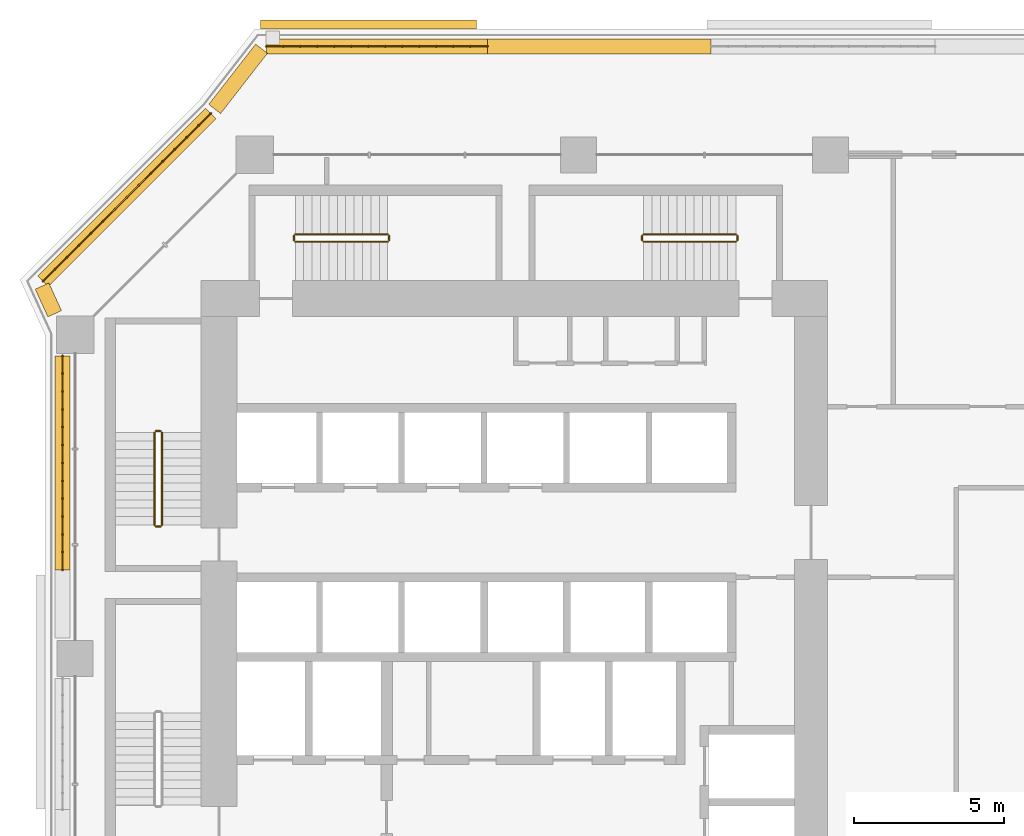
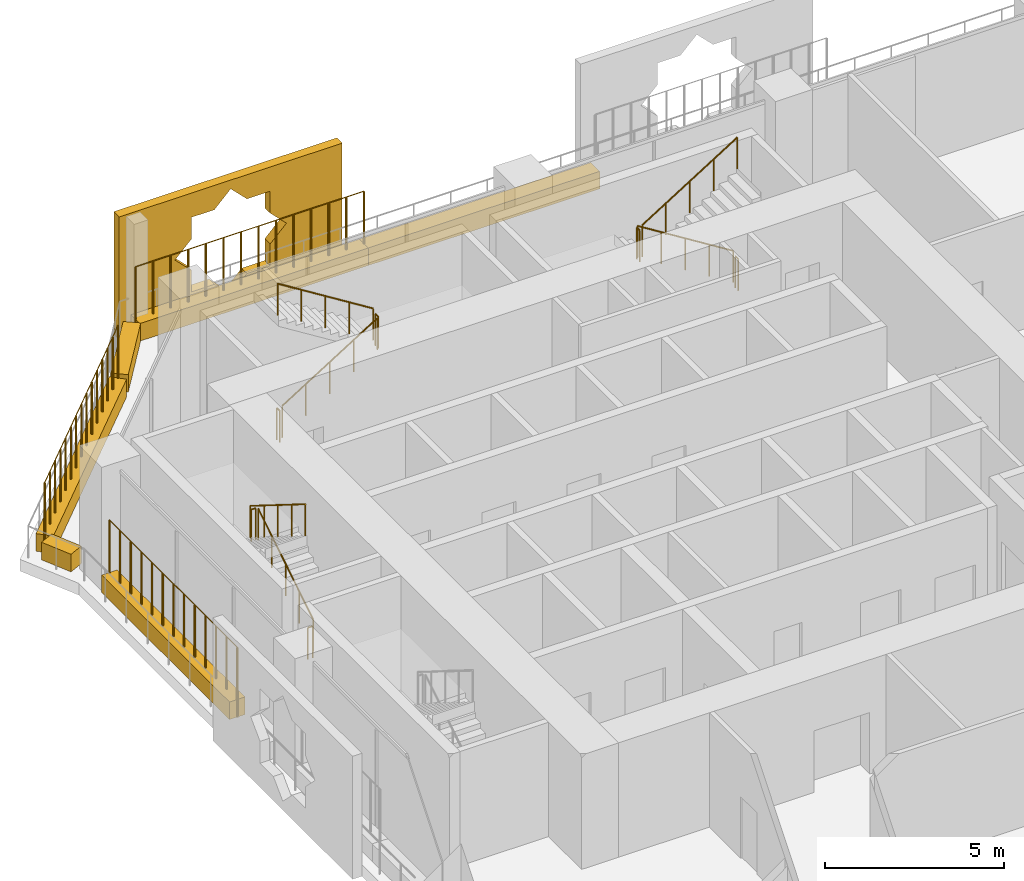
# One storey, part 25 of 27: 15 railings, 7 coverings.
"""IFC4 building model written with IfcOpenShell, lengths in metres."""

import ifcopenshell
import ifcopenshell.guid

model = None  # the IFC model being written
_history = None  # IfcOwnerHistory: only IFC2X3 demands one
_inside = {}  # id of a spatial element -> (the spatial element, [elements in it])
_under = {}  # id of a project, library or spatial element -> (it, [spatial elements below it])
_declared = {}  # id of a project -> (the project, [libraries it declares])
_typed = {}  # id of a type object -> (the type object, [elements of that type])
_made_of = {}  # id of a material, layer set ... -> (it, [elements and type objects made of it])


def new_model(schema):
    """Start an empty IFC model of exactly this schema.

    Asked for "IFC4X3", IfcOpenShell would pick the latest addendum, in which some entities
    have other attributes; the version numbers below select the first issue.
    IFC2X3 requires an IfcOwnerHistory on every rooted entity: one is made here for all.
    """
    global model, _history
    if schema == "IFC4X3":
        model = ifcopenshell.file(schema_version=(4, 3, 0, 0))
    else:
        model = ifcopenshell.file(schema=schema)
    _inside.clear()
    _under.clear()
    _declared.clear()
    _typed.clear()
    _made_of.clear()
    _history = None
    if model.schema == "IFC2X3":
        org = make("IfcOrganization", Name="unknown")
        user = make(
            "IfcPersonAndOrganization",
            ThePerson=make("IfcPerson", FamilyName="unknown"),
            TheOrganization=org,
        )
        app = make(
            "IfcApplication",
            ApplicationDeveloper=org,
            Version="unknown",
            ApplicationFullName="unknown",
            ApplicationIdentifier="unknown",
        )
        _history = make(
            "IfcOwnerHistory",
            OwningUser=user,
            OwningApplication=app,
            ChangeAction="ADDED",
            CreationDate=0,
        )
    return model


def make(cls, **values):
    """One entity of the class cls with the attributes given. An attribute that is None is left unset."""
    return model.create_entity(
        cls, **{name: value for name, value in values.items() if value is not None}
    )


def rooted(cls, **values):
    """An entity with a GlobalId (a new one), such as an element, a storey or a relation."""
    return make(cls, GlobalId=ifcopenshell.guid.new(), OwnerHistory=_history, **values)


def si_unit(unit_type, name, prefix=None):
    """IfcSIUnit, for example si_unit("LENGTHUNIT", "METRE", prefix="MILLI")."""
    return make("IfcSIUnit", UnitType=unit_type, Prefix=prefix, Name=name)


def assignment(units):
    """IfcUnitAssignment: the units of a project."""
    return None if units is None else make("IfcUnitAssignment", Units=units)


def point(xyz):
    """IfcCartesianPoint."""
    return None if xyz is None else make("IfcCartesianPoint", Coordinates=xyz)


def direction(xyz):
    """IfcDirection."""
    return None if xyz is None else make("IfcDirection", DirectionRatios=xyz)


def frame(location, z_axis=None, x_axis=None):
    """IfcAxis2Placement3D, a coordinate frame: its origin and axes. An axis left out is left unset."""
    return make(
        "IfcAxis2Placement3D",
        Location=point(location),
        Axis=direction(z_axis),
        RefDirection=direction(x_axis),
    )


def frame_2d(location, x_axis=None):
    """IfcAxis2Placement2D, a coordinate frame in the plane: its origin and x axis."""
    return make(
        "IfcAxis2Placement2D", Location=point(location), RefDirection=direction(x_axis)
    )


def origin():
    """The frame at (0, 0, 0) with its axes left unset."""
    return frame((0.0, 0.0, 0.0))


def origin_2d():
    """The frame at (0, 0) in the plane with its x axis left unset."""
    return frame_2d((0.0, 0.0))


def place(relative_to, where):
    """IfcLocalPlacement: puts the frame where relative to a parent placement (None: the world)."""
    return make(
        "IfcLocalPlacement", PlacementRelTo=relative_to, RelativePlacement=where
    )


def context(
    kind, dimensions, precision=None, world=None, true_north=None, identifier=None
):
    """IfcGeometricRepresentationContext, for example the 3D "Model" context."""
    return make(
        "IfcGeometricRepresentationContext",
        ContextIdentifier=identifier,
        ContextType=kind,
        CoordinateSpaceDimension=dimensions,
        Precision=precision,
        WorldCoordinateSystem=world,
        TrueNorth=true_north,
    )


def subcontext(parent, identifier, kind, view, scale=None):
    """IfcGeometricRepresentationSubContext, for example "Body" below "Model"."""
    return make(
        "IfcGeometricRepresentationSubContext",
        ContextIdentifier=identifier,
        ContextType=kind,
        ParentContext=parent,
        TargetScale=scale,
        TargetView=view,
    )


def project(units=None, contexts=None):
    """IfcProject with its units and contexts."""
    return rooted(
        "IfcProject",
        Name="project",
        RepresentationContexts=contexts,
        UnitsInContext=assignment(units),
    )


def spatial(cls, under=None, at=None, **own):
    """A site, building, storey or space (cls), placed at a placement, below another one or the project."""
    s = rooted(cls, ObjectPlacement=at, **own)
    if under is not None:
        _under.setdefault(under.id(), (under, []))[1].append(s)
    return s


def polyline(points):
    """IfcPolyline through the points."""
    return make("IfcPolyline", Points=[point(p) for p in points])


def profile(cls, at=None, kind="AREA", **sizes):
    """A parametric profile (cls). Its sizes go by their IFC names, for example OverallWidth=200.0."""
    return make(cls, ProfileType=kind, Position=at, **sizes)


def rectangle(**sizes):
    """IfcRectangleProfileDef."""
    return profile("IfcRectangleProfileDef", **sizes)


def circle(**sizes):
    """IfcCircleProfileDef."""
    return profile("IfcCircleProfileDef", **sizes)


def outline(outer, holes=None, kind="AREA"):
    """IfcArbitraryClosedProfileDef: a profile drawn as a closed curve; with holes, ...WithVoids."""
    if holes is None:
        return make("IfcArbitraryClosedProfileDef", ProfileType=kind, OuterCurve=outer)
    return make(
        "IfcArbitraryProfileDefWithVoids",
        ProfileType=kind,
        OuterCurve=outer,
        InnerCurves=holes,
    )


def extrude(swept, where, along, depth):
    """IfcExtrudedAreaSolid: the profile swept, set in the frame where, extruded along a direction by depth."""
    return make(
        "IfcExtrudedAreaSolid",
        SweptArea=swept,
        Position=where,
        ExtrudedDirection=direction(along),
        Depth=depth,
    )


def shape(context_of_items, identifier, shape_type, items):
    """IfcShapeRepresentation: the items that make up one representation, for example the "Body"."""
    return make(
        "IfcShapeRepresentation",
        ContextOfItems=context_of_items,
        RepresentationIdentifier=identifier,
        RepresentationType=shape_type,
        Items=items,
    )


def material(Name=None, Category=None):
    """IfcMaterial."""
    return make("IfcMaterial", Name=Name, Category=Category)


def material_profile(
    of_material, cross_section, Name=None, Category=None, Priority=None
):
    """IfcMaterialProfile: a cross section and its material."""
    return make(
        "IfcMaterialProfile",
        Name=Name,
        Material=of_material,
        Profile=cross_section,
        Priority=Priority,
        Category=Category,
    )


def profile_set(profiles, Name=None, composite=None):
    """IfcMaterialProfileSet."""
    return make(
        "IfcMaterialProfileSet",
        Name=Name,
        MaterialProfiles=profiles,
        CompositeProfile=composite,
    )


def made_of(thing, what):
    """Note that an element or type object is made of a material, layer set ...; save() writes the relation."""
    if what is not None:
        _made_of.setdefault(what.id(), (what, []))[1].append(thing)
    return thing


def type_object(cls, material=None, **own):
    """A type object (cls), such as IfcWallType, which elements share."""
    return made_of(rooted(cls, **own), material)


def element(
    cls,
    number,
    at=None,
    inside=None,
    cuts=None,
    type_object=None,
    material=None,
    context=None,
    identifier="Body",
    shape_type=None,
    held_by="IfcProductDefinitionShape",
    body=None,
    shapes=None,
    **own,
):
    """One element of the class cls, such as IfcWall. Its Tag is "e" and its number.

    at: its placement. inside: the storey or other place that contains it. cuts: it is an
    opening in that element (IfcRelVoidsElement). A single representation is given by context,
    identifier, shape_type and body (its items); several are given by shapes. held_by: the class
    of the entity that holds the representations. save() writes the other relations.
    """
    e = rooted(cls, Tag="e%d" % number, ObjectPlacement=at, **own)
    if body is not None:
        shapes = [shape(context, identifier, shape_type, body)]
    if shapes is not None:
        e.Representation = make(held_by, Representations=shapes)
    if inside is not None:
        _inside.setdefault(inside.id(), (inside, []))[1].append(e)
    if cuts is not None:
        rooted(
            "IfcRelVoidsElement", RelatingBuildingElement=cuts, RelatedOpeningElement=e
        )
    if type_object is not None:
        _typed.setdefault(type_object.id(), (type_object, []))[1].append(e)
    return made_of(e, material)


def aggregate(whole, parts):
    """IfcRelAggregates: a whole, such as a stair, and the parts it consists of."""
    return rooted("IfcRelAggregates", RelatingObject=whole, RelatedObjects=parts)


def save(model, path):
    """Write the relations noted so far, then the file.

    IfcRelAggregates (storeys below a building ...), IfcRelContainedInSpatialStructure (elements
    in a storey), IfcRelDefinesByType, IfcRelAssociatesMaterial and IfcRelDeclares: one each for
    every whole, place, type object, material and project.
    """
    for whole, parts in _under.values():
        aggregate(whole, parts)
    for where, things in _inside.values():
        rooted(
            "IfcRelContainedInSpatialStructure",
            RelatedElements=things,
            RelatingStructure=where,
        )
    for kind, things in _typed.values():
        rooted("IfcRelDefinesByType", RelatedObjects=things, RelatingType=kind)
    for what, things in _made_of.values():
        rooted("IfcRelAssociatesMaterial", RelatedObjects=things, RelatingMaterial=what)
    for by, libraries in _declared.values():
        rooted("IfcRelDeclares", RelatingContext=by, RelatedDefinitions=libraries)
    model.write(path)


model = new_model("IFC4")

# Units and contexts
model_context = context("Model", 3, precision=1e-05, world=origin(), true_north=direction((0.0, 1.0)))
body_context = subcontext(model_context, "Body", "Model", "MODEL_VIEW")
ifc_project = project(units=[si_unit("LENGTHUNIT", "METRE"), si_unit("AREAUNIT", "SQUARE_METRE"), si_unit("VOLUMEUNIT", "CUBIC_METRE"), si_unit("PLANEANGLEUNIT", "RADIAN"), si_unit("MASSUNIT", "GRAM", prefix="KILO")], contexts=[model_context])

# Site, building, storey
site_placement = place(None, origin())
site = spatial("IfcSite", under=ifc_project, at=site_placement, CompositionType="ELEMENT")
building_placement = place(site_placement, origin())
building = spatial("IfcBuilding", under=site, at=building_placement, Name="Kawkab Arch Medical Tower", CompositionType="ELEMENT")
storey_placement = place(building_placement, frame((0.0, 0.0, 43.39990234375)))
storey = spatial("IfcBuildingStorey", under=building, at=storey_placement, Name="L09", CompositionType="ELEMENT", Elevation=43.39990234375)

# Coverings
ifc_material_1 = material(Name="Bronze anodised aluminium mashrabiya panel, eight-point star pattern", Category="aluminium")
ifc_material_profile_1 = material_profile(ifc_material_1, outline(polyline([(-3.60009765625, -2.10009765625), (3.60009765625, -2.10009765625), (3.60009765625, 2.10009765625), (-3.60009765625, 2.10009765625), (-3.60009765625, -2.10009765625)]), holes=[polyline([(1.800048828125, 0.0), (1.272705078125, 0.527099609375), (1.272705078125, 1.272705078125), (0.527099609375, 1.272705078125), (0.0, 1.800048828125), (-0.527099609375, 1.272705078125), (-1.272705078125, 1.272705078125), (-1.272705078125, 0.527099609375), (-1.800048828125, 0.0), (-1.272705078125, -0.527099609375), (-1.272705078125, -1.272705078125), (-0.527099609375, -1.272705078125), (0.0, -1.800048828125), (0.527099609375, -1.272705078125), (1.272705078125, -1.272705078125), (1.272705078125, -0.527099609375), (1.800048828125, 0.0)])]), Name="Mashrabiya panel 7200x4200")
ifc_profile_set_1 = profile_set([ifc_material_profile_1], Name="Bronze anodised aluminium mashrabiya panel, eight-point star pattern")
covering_type_1 = type_object("IfcCoveringType", Name="Mashrabiya panel 7200 x 4200", PredefinedType="USERDEFINED", material=ifc_profile_set_1)
covering_1_placement = place(storey_placement, frame((9.791015625, 4.199951171875, 1.7001953125), z_axis=(0.0, 1.0, 0.0), x_axis=(-1.0, 0.0, 0.0)))
element("IfcCovering", 1, at=covering_1_placement, inside=storey, type_object=covering_type_1, Name="Mashrabiya panel L09.LOG-01-02.6", ObjectType="SCREEN", PredefinedType="USERDEFINED", context=body_context, shape_type="SweptSolid", body=[
    extrude(outline(polyline([(-3.60009765625, -2.10009765625), (3.60009765625, -2.10009765625), (3.60009765625, 2.10009765625), (-3.60009765625, 2.10009765625), (-3.60009765625, -2.10009765625)]), holes=[polyline([(1.800048828125, 0.0), (1.272705078125, 0.527099609375), (1.272705078125, 1.272705078125), (0.527099609375, 1.272705078125), (0.0, 1.800048828125), (-0.527099609375, 1.272705078125), (-1.272705078125, 1.272705078125), (-1.272705078125, 0.527099609375), (-1.800048828125, 0.0), (-1.272705078125, -0.527099609375), (-1.272705078125, -1.272705078125), (-0.527099609375, -1.272705078125), (0.0, -1.800048828125), (0.527099609375, -1.272705078125), (1.272705078125, -1.272705078125), (1.272705078125, -0.527099609375), (1.800048828125, 0.0)])]), origin(), (0.0, 0.0, 1.0), 0.300048828125),
])
ifc_material_2 = material(Name="Planting soil in a precast trough", Category="concrete")
ifc_material_profile_2 = material_profile(ifc_material_2, rectangle(XDim=0.5, YDim=0.60009765625, at=origin_2d()), Name="Trough 500x600")
ifc_profile_set_2 = profile_set([ifc_material_profile_2], Name="Planting soil in a precast trough")
covering_type_2 = type_object("IfcCoveringType", Name="Planter trough 500 x 600", PredefinedType="USERDEFINED", material=ifc_profile_set_2)
covering_2_placement = place(storey_placement, frame((-0.419921875, -13.85595703125, 0.300048828125), z_axis=(0.0, 1.0, 0.0), x_axis=(-1.0, 0.0, 0.0)))
element("IfcCovering", 2, at=covering_2_placement, inside=storey, type_object=covering_type_2, Name="Planter L09.LOG-01-02.21", ObjectType="PLANTER", PredefinedType="USERDEFINED", context=body_context, shape_type="SweptSolid", body=[
    extrude(rectangle(XDim=0.5, YDim=0.60009765625, at=origin_2d()), origin(), (0.0, 0.0, 1.0), 7.15087890625),
])
covering_3_placement = place(storey_placement, frame((-0.680908203125, -5.302001953125, 0.300048828125), z_axis=(-0.415071571878, 0.909788761317, 0.0), x_axis=(-0.909788761317, -0.415071571878, 0.0)))
element("IfcCovering", 3, at=covering_3_placement, inside=storey, type_object=covering_type_2, Name="Planter L09.LOG-01-02.22", ObjectType="PLANTER", PredefinedType="USERDEFINED", context=body_context, shape_type="SweptSolid", body=[
    extrude(rectangle(XDim=0.5, YDim=0.60009765625, at=origin_2d()), origin(), (0.0, 0.0, 1.0), 1.0146484375),
])
covering_4_placement = place(storey_placement, frame((-1.072998046875, -4.217041015625, 0.300048828125), z_axis=(0.707106781187, 0.707106781187, 0.0), x_axis=(-0.707106781187, 0.707106781187, 0.0)))
element("IfcCovering", 4, at=covering_4_placement, inside=storey, type_object=covering_type_2, Name="Planter L09.LOG-01-02.23", ObjectType="PLANTER", PredefinedType="USERDEFINED", context=body_context, shape_type="SweptSolid", body=[
    extrude(rectangle(XDim=0.5, YDim=0.60009765625, at=origin_2d()), origin(), (0.0, 0.0, 1.0), 7.919677734375),
])
covering_5_placement = place(storey_placement, frame((4.658935546875, 1.531982421875, 0.300048828125), z_axis=(0.61404021143, 0.789274742246, 0.0), x_axis=(-0.789274742246, 0.61404021143, 0.0)))
element("IfcCovering", 5, at=covering_5_placement, inside=storey, type_object=covering_type_2, Name="Planter L09.LOG-01-02.24", ObjectType="PLANTER", PredefinedType="USERDEFINED", context=body_context, shape_type="SweptSolid", body=[
    extrude(rectangle(XDim=0.5, YDim=0.60009765625, at=origin_2d()), origin(), (0.0, 0.0, 1.0), 2.54541015625),
])
covering_6_placement = place(storey_placement, frame((6.384033203125, 3.6201171875, 0.300048828125), z_axis=(1.0, 0.0, 0.0), x_axis=(0.0, 1.0, 0.0)))
element("IfcCovering", 6, at=covering_6_placement, inside=storey, type_object=covering_type_2, Name="Planter L09.LOG-01-02.25", ObjectType="PLANTER", PredefinedType="USERDEFINED", context=body_context, shape_type="SweptSolid", body=[
    extrude(rectangle(XDim=0.5, YDim=0.60009765625, at=origin_2d()), origin(), (0.0, 0.0, 1.0), 7.369873046875),
])
covering_7_placement = place(storey_placement, frame((13.75390625, 3.6201171875, 0.300048828125), z_axis=(1.0, 0.0, 0.0), x_axis=(0.0, 1.0, 0.0)))
element("IfcCovering", 7, at=covering_7_placement, inside=storey, type_object=covering_type_2, Name="Planter L09.LOG-01-02.26", ObjectType="PLANTER", PredefinedType="USERDEFINED", context=body_context, shape_type="SweptSolid", body=[
    extrude(rectangle(XDim=0.5, YDim=0.60009765625, at=origin_2d()), origin(), (0.0, 0.0, 1.0), 7.47021484375),
])

# Railings
ifc_material_3 = material(Name="Bronze anodised aluminium trellis for climbing plants", Category="aluminium")
railing_type_1 = type_object("IfcRailingType", Name="Planting trellis 2400", PredefinedType="USERDEFINED", material=ifc_material_3)
railing_1_placement = place(storey_placement, frame((-0.419921875, -13.85595703125, 0.0)))
element("IfcRailing", 8, at=railing_1_placement, inside=storey, type_object=railing_type_1, Name="Planting trellis L09.LOG-01-02.21", ObjectType="TRELLIS", PredefinedType="USERDEFINED", context=body_context, shape_type="SweptSolid", body=[
    extrude(circle(Radius=0.01513671875, at=origin_2d()), frame((0.0, 0.0, 2.384765625), z_axis=(0.0, 1.0, 0.0), x_axis=(-1.0, 0.0, 0.0)), (0.0, 0.0, 1.0), 7.15087890625),
    extrude(circle(Radius=0.030029296875, at=origin_2d()), origin(), (0.0, 0.0, 1.0), 2.369873046875),
    extrude(circle(Radius=0.030029296875, at=origin_2d()), frame((0.0, 0.595947265625, 0.0)), (0.0, 0.0, 1.0), 2.369873046875),
    extrude(circle(Radius=0.030029296875, at=origin_2d()), frame((0.0, 1.19189453125, 0.0)), (0.0, 0.0, 1.0), 2.369873046875),
    extrude(circle(Radius=0.030029296875, at=origin_2d()), frame((0.0, 1.78759765625, 0.0)), (0.0, 0.0, 1.0), 2.369873046875),
    extrude(circle(Radius=0.030029296875, at=origin_2d()), frame((0.0, 2.383544921875, 0.0)), (0.0, 0.0, 1.0), 2.369873046875),
    extrude(circle(Radius=0.030029296875, at=origin_2d()), frame((0.0, 2.9794921875, 0.0)), (0.0, 0.0, 1.0), 2.369873046875),
    extrude(circle(Radius=0.030029296875, at=origin_2d()), frame((0.0, 3.575439453125, 0.0)), (0.0, 0.0, 1.0), 2.369873046875),
    extrude(circle(Radius=0.030029296875, at=origin_2d()), frame((0.0, 4.17138671875, 0.0)), (0.0, 0.0, 1.0), 2.369873046875),
    extrude(circle(Radius=0.030029296875, at=origin_2d()), frame((0.0, 4.767333984375, 0.0)), (0.0, 0.0, 1.0), 2.369873046875),
    extrude(circle(Radius=0.030029296875, at=origin_2d()), frame((0.0, 5.36328125, 0.0)), (0.0, 0.0, 1.0), 2.369873046875),
    extrude(circle(Radius=0.030029296875, at=origin_2d()), frame((0.0, 5.958984375, 0.0)), (0.0, 0.0, 1.0), 2.369873046875),
    extrude(circle(Radius=0.030029296875, at=origin_2d()), frame((0.0, 6.554931640625, 0.0)), (0.0, 0.0, 1.0), 2.369873046875),
    extrude(circle(Radius=0.030029296875, at=origin_2d()), frame((0.0, 7.15087890625, 0.0)), (0.0, 0.0, 1.0), 2.369873046875),
])
railing_2_placement = place(storey_placement, frame((-1.072998046875, -4.217041015625, 0.0)))
element("IfcRailing", 9, at=railing_2_placement, inside=storey, type_object=railing_type_1, Name="Planting trellis L09.LOG-01-02.23", ObjectType="TRELLIS", PredefinedType="USERDEFINED", context=body_context, shape_type="SweptSolid", body=[
    extrude(circle(Radius=0.01513671875, at=origin_2d()), frame((0.0, 0.0, 2.384765625), z_axis=(0.707106781187, 0.707106781187, 0.0), x_axis=(-0.707106781187, 0.707106781187, 0.0)), (0.0, 0.0, 1.0), 7.919677734375),
    extrude(circle(Radius=0.030029296875, at=origin_2d()), origin(), (0.0, 0.0, 1.0), 2.369873046875),
    extrude(circle(Radius=0.030029296875, at=origin_2d()), frame((0.39990234375, 0.39990234375, 0.0)), (0.0, 0.0, 1.0), 2.369873046875),
    extrude(circle(Radius=0.030029296875, at=origin_2d()), frame((0.800048828125, 0.800048828125, 0.0)), (0.0, 0.0, 1.0), 2.369873046875),
    extrude(circle(Radius=0.030029296875, at=origin_2d()), frame((1.199951171875, 1.199951171875, 0.0)), (0.0, 0.0, 1.0), 2.369873046875),
    extrude(circle(Radius=0.030029296875, at=origin_2d()), frame((1.60009765625, 1.60009765625, 0.0)), (0.0, 0.0, 1.0), 2.369873046875),
    extrude(circle(Radius=0.030029296875, at=origin_2d()), frame((2.0, 2.0, 0.0)), (0.0, 0.0, 1.0), 2.369873046875),
    extrude(circle(Radius=0.030029296875, at=origin_2d()), frame((2.400146484375, 2.400146484375, 0.0)), (0.0, 0.0, 1.0), 2.369873046875),
    extrude(circle(Radius=0.030029296875, at=origin_2d()), frame((2.800048828125, 2.800048828125, 0.0)), (0.0, 0.0, 1.0), 2.369873046875),
    extrude(circle(Radius=0.030029296875, at=origin_2d()), frame((3.199951171875, 3.199951171875, 0.0)), (0.0, 0.0, 1.0), 2.369873046875),
    extrude(circle(Radius=0.030029296875, at=origin_2d()), frame((3.60009765625, 3.60009765625, 0.0)), (0.0, 0.0, 1.0), 2.369873046875),
    extrude(circle(Radius=0.030029296875, at=origin_2d()), frame((4.0, 4.0, 0.0)), (0.0, 0.0, 1.0), 2.369873046875),
    extrude(circle(Radius=0.030029296875, at=origin_2d()), frame((4.400146484375, 4.400146484375, 0.0)), (0.0, 0.0, 1.0), 2.369873046875),
    extrude(circle(Radius=0.030029296875, at=origin_2d()), frame((4.800048828125, 4.800048828125, 0.0)), (0.0, 0.0, 1.0), 2.369873046875),
    extrude(circle(Radius=0.030029296875, at=origin_2d()), frame((5.2001953125, 5.2001953125, 0.0)), (0.0, 0.0, 1.0), 2.369873046875),
    extrude(circle(Radius=0.030029296875, at=origin_2d()), frame((5.60009765625, 5.60009765625, 0.0)), (0.0, 0.0, 1.0), 2.369873046875),
])
railing_3_placement = place(storey_placement, frame((6.384033203125, 3.6201171875, 0.0)))
element("IfcRailing", 10, at=railing_3_placement, inside=storey, type_object=railing_type_1, Name="Planting trellis L09.LOG-01-02.25", ObjectType="TRELLIS", PredefinedType="USERDEFINED", context=body_context, shape_type="SweptSolid", body=[
    extrude(circle(Radius=0.01513671875, at=origin_2d()), frame((0.0, 0.0, 2.384765625), z_axis=(1.0, 0.0, 0.0), x_axis=(0.0, 1.0, 0.0)), (0.0, 0.0, 1.0), 7.369873046875),
    extrude(circle(Radius=0.030029296875, at=origin_2d()), origin(), (0.0, 0.0, 1.0), 2.369873046875),
    extrude(circle(Radius=0.030029296875, at=origin_2d()), frame((0.56689453125, 0.0, 0.0)), (0.0, 0.0, 1.0), 2.369873046875),
    extrude(circle(Radius=0.030029296875, at=origin_2d()), frame((1.1337890625, 0.0, 0.0)), (0.0, 0.0, 1.0), 2.369873046875),
    extrude(circle(Radius=0.030029296875, at=origin_2d()), frame((1.70068359375, 0.0, 0.0)), (0.0, 0.0, 1.0), 2.369873046875),
    extrude(circle(Radius=0.030029296875, at=origin_2d()), frame((2.267578125, 0.0, 0.0)), (0.0, 0.0, 1.0), 2.369873046875),
    extrude(circle(Radius=0.030029296875, at=origin_2d()), frame((2.83447265625, 0.0, 0.0)), (0.0, 0.0, 1.0), 2.369873046875),
    extrude(circle(Radius=0.030029296875, at=origin_2d()), frame((3.4013671875, 0.0, 0.0)), (0.0, 0.0, 1.0), 2.369873046875),
    extrude(circle(Radius=0.030029296875, at=origin_2d()), frame((3.968505859375, 0.0, 0.0)), (0.0, 0.0, 1.0), 2.369873046875),
    extrude(circle(Radius=0.030029296875, at=origin_2d()), frame((4.535400390625, 0.0, 0.0)), (0.0, 0.0, 1.0), 2.369873046875),
    extrude(circle(Radius=0.030029296875, at=origin_2d()), frame((5.102294921875, 0.0, 0.0)), (0.0, 0.0, 1.0), 2.369873046875),
    extrude(circle(Radius=0.030029296875, at=origin_2d()), frame((5.669189453125, 0.0, 0.0)), (0.0, 0.0, 1.0), 2.369873046875),
    extrude(circle(Radius=0.030029296875, at=origin_2d()), frame((6.236083984375, 0.0, 0.0)), (0.0, 0.0, 1.0), 2.369873046875),
    extrude(circle(Radius=0.030029296875, at=origin_2d()), frame((6.802978515625, 0.0, 0.0)), (0.0, 0.0, 1.0), 2.369873046875),
    extrude(circle(Radius=0.030029296875, at=origin_2d()), frame((7.369873046875, 0.0, 0.0)), (0.0, 0.0, 1.0), 2.369873046875),
])
ifc_material_4 = material(Name="Stainless steel", Category="steel")
railing_type_2 = type_object("IfcRailingType", Name="Stair guard 1100", PredefinedType="GUARDRAIL", material=ifc_material_4)
railing_4_placement = place(storey_placement, frame((2.89990234375, -12.35009765625, 0.175048828125)))
element("IfcRailing", 11, at=railing_4_placement, inside=storey, type_object=railing_type_2, Name="L09 ST1 stair guard 1", PredefinedType="GUARDRAIL", context=body_context, shape_type="SweptSolid", body=[
    extrude(circle(Radius=0.02392578125, at=origin_2d()), frame((0.0, 0.0, 1.076171875), z_axis=(0.0, 0.847998304005, 0.529998940003), x_axis=(-1.0, 0.0, 0.0)), (0.0, 0.0, 1.0), 3.632080078125),
    extrude(circle(Radius=0.02099609375, at=origin_2d()), origin(), (0.0, 0.0, 1.0), 1.052001953125),
    extrude(circle(Radius=0.02099609375, at=origin_2d()), frame((0.0, 0.77001953125, 0.481201171875)), (0.0, 0.0, 1.0), 1.052001953125),
    extrude(circle(Radius=0.02099609375, at=origin_2d()), frame((0.0, 1.5400390625, 0.96240234375)), (0.0, 0.0, 1.0), 1.052001953125),
    extrude(circle(Radius=0.02099609375, at=origin_2d()), frame((0.0, 2.31005859375, 1.44384765625)), (0.0, 0.0, 1.0), 1.052001953125),
    extrude(circle(Radius=0.02099609375, at=origin_2d()), frame((0.0, 3.080078125, 1.925048828125)), (0.0, 0.0, 1.0), 1.052001953125),
])
railing_5_placement = place(storey_placement, frame((2.85009765625, -9.219970703125, 2.10009765625)))
element("IfcRailing", 12, at=railing_5_placement, inside=storey, type_object=railing_type_2, Name="L09 ST1 stair guard 2", PredefinedType="GUARDRAIL", context=body_context, shape_type="SweptSolid", body=[
    extrude(circle(Radius=0.02392578125, at=origin_2d()), frame((0.0, 0.0, 1.076171875), z_axis=(-1.0, 0.0, 0.0), x_axis=(0.0, -1.0, 0.0)), (0.0, 0.0, 1.0), 0.150146484375),
    extrude(circle(Radius=0.02099609375, at=origin_2d()), origin(), (0.0, 0.0, 1.0), 1.052001953125),
    extrude(circle(Radius=0.02099609375, at=origin_2d()), frame((-0.150146484375, 0.0, 0.0)), (0.0, 0.0, 1.0), 1.052001953125),
])
railing_6_placement = place(storey_placement, frame((2.64990234375, -9.27001953125, 2.275146484375)))
element("IfcRailing", 13, at=railing_6_placement, inside=storey, type_object=railing_type_2, Name="L09 ST1 stair guard 3", PredefinedType="GUARDRAIL", context=body_context, shape_type="SweptSolid", body=[
    extrude(circle(Radius=0.02392578125, at=origin_2d()), frame((0.0, 0.0, 1.076171875), z_axis=(0.0, -0.847998304005, 0.529998940003), x_axis=(1.0, 0.0, 0.0)), (0.0, 0.0, 1.0), 3.632080078125),
    extrude(circle(Radius=0.02099609375, at=origin_2d()), origin(), (0.0, 0.0, 1.0), 1.052001953125),
    extrude(circle(Radius=0.02099609375, at=origin_2d()), frame((0.0, -0.77001953125, 0.481201171875)), (0.0, 0.0, 1.0), 1.052001953125),
    extrude(circle(Radius=0.02099609375, at=origin_2d()), frame((0.0, -1.5400390625, 0.96240234375)), (0.0, 0.0, 1.0), 1.052001953125),
    extrude(circle(Radius=0.02099609375, at=origin_2d()), frame((0.0, -2.31005859375, 1.44384765625)), (0.0, 0.0, 1.0), 1.052001953125),
    extrude(circle(Radius=0.02099609375, at=origin_2d()), frame((0.0, -3.080078125, 1.925048828125)), (0.0, 0.0, 1.0), 1.052001953125),
])
railing_7_placement = place(storey_placement, frame((2.85009765625, -12.39990234375, 0.0)))
element("IfcRailing", 14, at=railing_7_placement, inside=storey, type_object=railing_type_2, Name="L09 ST1 stair guard 4", PredefinedType="GUARDRAIL", context=body_context, shape_type="SweptSolid", body=[
    extrude(circle(Radius=0.02392578125, at=origin_2d()), frame((0.0, 0.0, 1.076171875), z_axis=(-1.0, 0.0, 0.0), x_axis=(0.0, -1.0, 0.0)), (0.0, 0.0, 1.0), 0.150146484375),
    extrude(circle(Radius=0.02099609375, at=origin_2d()), origin(), (0.0, 0.0, 1.0), 1.052001953125),
    extrude(circle(Radius=0.02099609375, at=origin_2d()), frame((-0.150146484375, 0.0, 0.0)), (0.0, 0.0, 1.0), 1.052001953125),
])
railing_8_placement = place(storey_placement, frame((7.35009765625, -2.89990234375, 0.175048828125)))
element("IfcRailing", 15, at=railing_8_placement, inside=storey, type_object=railing_type_2, Name="L09 ST3 stair guard 1", PredefinedType="GUARDRAIL", context=body_context, shape_type="SweptSolid", body=[
    extrude(circle(Radius=0.02392578125, at=origin_2d()), frame((0.0, 0.0, 1.076171875), z_axis=(0.847979421464, 0.0, 0.530029150871), x_axis=(0.0, 1.0, 0.0)), (0.0, 0.0, 1.0), 3.632080078125),
    extrude(circle(Radius=0.02099609375, at=origin_2d()), origin(), (0.0, 0.0, 1.0), 1.052001953125),
    extrude(circle(Radius=0.02099609375, at=origin_2d()), frame((0.77001953125, 0.0, 0.481201171875)), (0.0, 0.0, 1.0), 1.052001953125),
    extrude(circle(Radius=0.02099609375, at=origin_2d()), frame((1.5400390625, 0.0, 0.96240234375)), (0.0, 0.0, 1.0), 1.052001953125),
    extrude(circle(Radius=0.02099609375, at=origin_2d()), frame((2.309814453125, 0.0, 1.44384765625)), (0.0, 0.0, 1.0), 1.052001953125),
    extrude(circle(Radius=0.02099609375, at=origin_2d()), frame((3.079833984375, 0.0, 1.925048828125)), (0.0, 0.0, 1.0), 1.052001953125),
])
railing_9_placement = place(storey_placement, frame((10.47998046875, -2.85009765625, 2.10009765625)))
element("IfcRailing", 16, at=railing_9_placement, inside=storey, type_object=railing_type_2, Name="L09 ST3 stair guard 2", PredefinedType="GUARDRAIL", context=body_context, shape_type="SweptSolid", body=[
    extrude(circle(Radius=0.02392578125, at=origin_2d()), frame((0.0, 0.0, 1.076171875), z_axis=(0.0, 1.0, 0.0), x_axis=(-1.0, 0.0, 0.0)), (0.0, 0.0, 1.0), 0.150146484375),
    extrude(circle(Radius=0.02099609375, at=origin_2d()), origin(), (0.0, 0.0, 1.0), 1.052001953125),
    extrude(circle(Radius=0.02099609375, at=origin_2d()), frame((0.0, 0.150146484375, 0.0)), (0.0, 0.0, 1.0), 1.052001953125),
])
railing_10_placement = place(storey_placement, frame((10.429931640625, -2.64990234375, 2.275146484375)))
element("IfcRailing", 17, at=railing_10_placement, inside=storey, type_object=railing_type_2, Name="L09 ST3 stair guard 3", PredefinedType="GUARDRAIL", context=body_context, shape_type="SweptSolid", body=[
    extrude(circle(Radius=0.02392578125, at=origin_2d()), frame((0.0, 0.0, 1.076171875), z_axis=(-0.847979421464, 0.0, 0.530029150871), x_axis=(0.0, -1.0, 0.0)), (0.0, 0.0, 1.0), 3.632080078125),
    extrude(circle(Radius=0.02099609375, at=origin_2d()), origin(), (0.0, 0.0, 1.0), 1.052001953125),
    extrude(circle(Radius=0.02099609375, at=origin_2d()), frame((-0.77001953125, 0.0, 0.481201171875)), (0.0, 0.0, 1.0), 1.052001953125),
    extrude(circle(Radius=0.02099609375, at=origin_2d()), frame((-1.5400390625, 0.0, 0.96240234375)), (0.0, 0.0, 1.0), 1.052001953125),
    extrude(circle(Radius=0.02099609375, at=origin_2d()), frame((-2.309814453125, 0.0, 1.44384765625)), (0.0, 0.0, 1.0), 1.052001953125),
    extrude(circle(Radius=0.02099609375, at=origin_2d()), frame((-3.079833984375, 0.0, 1.925048828125)), (0.0, 0.0, 1.0), 1.052001953125),
])
railing_11_placement = place(storey_placement, frame((7.300048828125, -2.85009765625, 0.0)))
element("IfcRailing", 18, at=railing_11_placement, inside=storey, type_object=railing_type_2, Name="L09 ST3 stair guard 4", PredefinedType="GUARDRAIL", context=body_context, shape_type="SweptSolid", body=[
    extrude(circle(Radius=0.02392578125, at=origin_2d()), frame((0.0, 0.0, 1.076171875), z_axis=(0.0, 1.0, 0.0), x_axis=(-1.0, 0.0, 0.0)), (0.0, 0.0, 1.0), 0.150146484375),
    extrude(circle(Radius=0.02099609375, at=origin_2d()), origin(), (0.0, 0.0, 1.0), 1.052001953125),
    extrude(circle(Radius=0.02099609375, at=origin_2d()), frame((0.0, 0.150146484375, 0.0)), (0.0, 0.0, 1.0), 1.052001953125),
])
railing_12_placement = place(storey_placement, frame((22.050048828125, -2.64990234375, 0.175048828125)))
element("IfcRailing", 19, at=railing_12_placement, inside=storey, type_object=railing_type_2, Name="L09 ST4 stair guard 1", PredefinedType="GUARDRAIL", context=body_context, shape_type="SweptSolid", body=[
    extrude(circle(Radius=0.02392578125, at=origin_2d()), frame((0.0, 0.0, 1.076171875), z_axis=(-0.847998304005, 0.0, 0.529998940003), x_axis=(0.0, -1.0, 0.0)), (0.0, 0.0, 1.0), 3.632080078125),
    extrude(circle(Radius=0.02099609375, at=origin_2d()), origin(), (0.0, 0.0, 1.0), 1.052001953125),
    extrude(circle(Radius=0.02099609375, at=origin_2d()), frame((-0.77001953125, 0.0, 0.481201171875)), (0.0, 0.0, 1.0), 1.052001953125),
    extrude(circle(Radius=0.02099609375, at=origin_2d()), frame((-1.5400390625, 0.0, 0.96240234375)), (0.0, 0.0, 1.0), 1.052001953125),
    extrude(circle(Radius=0.02099609375, at=origin_2d()), frame((-2.31005859375, 0.0, 1.44384765625)), (0.0, 0.0, 1.0), 1.052001953125),
    extrude(circle(Radius=0.02099609375, at=origin_2d()), frame((-3.080078125, 0.0, 1.925048828125)), (0.0, 0.0, 1.0), 1.052001953125),
])
railing_13_placement = place(storey_placement, frame((18.919921875, -2.699951171875, 2.10009765625)))
element("IfcRailing", 20, at=railing_13_placement, inside=storey, type_object=railing_type_2, Name="L09 ST4 stair guard 2", PredefinedType="GUARDRAIL", context=body_context, shape_type="SweptSolid", body=[
    extrude(circle(Radius=0.02392578125, at=origin_2d()), frame((0.0, 0.0, 1.076171875), z_axis=(0.0, -1.0, 0.0), x_axis=(1.0, 0.0, 0.0)), (0.0, 0.0, 1.0), 0.150146484375),
    extrude(circle(Radius=0.02099609375, at=origin_2d()), origin(), (0.0, 0.0, 1.0), 1.052001953125),
    extrude(circle(Radius=0.02099609375, at=origin_2d()), frame((0.0, -0.150146484375, 0.0)), (0.0, 0.0, 1.0), 1.052001953125),
])
railing_14_placement = place(storey_placement, frame((18.969970703125, -2.89990234375, 2.275146484375)))
element("IfcRailing", 21, at=railing_14_placement, inside=storey, type_object=railing_type_2, Name="L09 ST4 stair guard 3", PredefinedType="GUARDRAIL", context=body_context, shape_type="SweptSolid", body=[
    extrude(circle(Radius=0.02392578125, at=origin_2d()), frame((0.0, 0.0, 1.076171875), z_axis=(0.847998304005, 0.0, 0.529998940003), x_axis=(0.0, 1.0, 0.0)), (0.0, 0.0, 1.0), 3.632080078125),
    extrude(circle(Radius=0.02099609375, at=origin_2d()), origin(), (0.0, 0.0, 1.0), 1.052001953125),
    extrude(circle(Radius=0.02099609375, at=origin_2d()), frame((0.77001953125, 0.0, 0.481201171875)), (0.0, 0.0, 1.0), 1.052001953125),
    extrude(circle(Radius=0.02099609375, at=origin_2d()), frame((1.5400390625, 0.0, 0.96240234375)), (0.0, 0.0, 1.0), 1.052001953125),
    extrude(circle(Radius=0.02099609375, at=origin_2d()), frame((2.31005859375, 0.0, 1.44384765625)), (0.0, 0.0, 1.0), 1.052001953125),
    extrude(circle(Radius=0.02099609375, at=origin_2d()), frame((3.080078125, 0.0, 1.925048828125)), (0.0, 0.0, 1.0), 1.052001953125),
])
railing_15_placement = place(storey_placement, frame((22.10009765625, -2.699951171875, 0.0)))
element("IfcRailing", 22, at=railing_15_placement, inside=storey, type_object=railing_type_2, Name="L09 ST4 stair guard 4", PredefinedType="GUARDRAIL", context=body_context, shape_type="SweptSolid", body=[
    extrude(circle(Radius=0.02392578125, at=origin_2d()), frame((0.0, 0.0, 1.076171875), z_axis=(0.0, -1.0, 0.0), x_axis=(1.0, 0.0, 0.0)), (0.0, 0.0, 1.0), 0.150146484375),
    extrude(circle(Radius=0.02099609375, at=origin_2d()), origin(), (0.0, 0.0, 1.0), 1.052001953125),
    extrude(circle(Radius=0.02099609375, at=origin_2d()), frame((0.0, -0.150146484375, 0.0)), (0.0, 0.0, 1.0), 1.052001953125),
])

save(model, "model.ifc")
